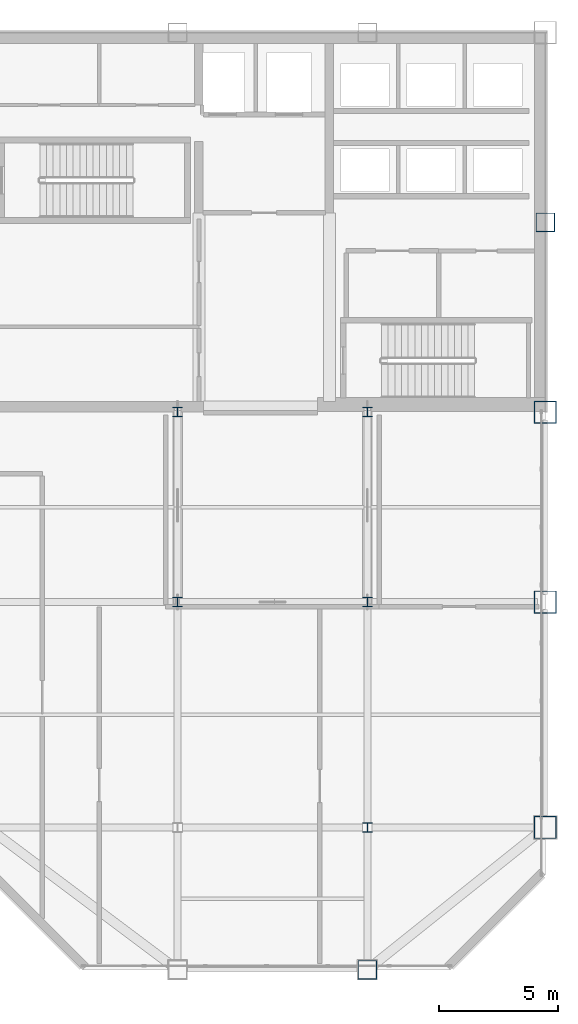
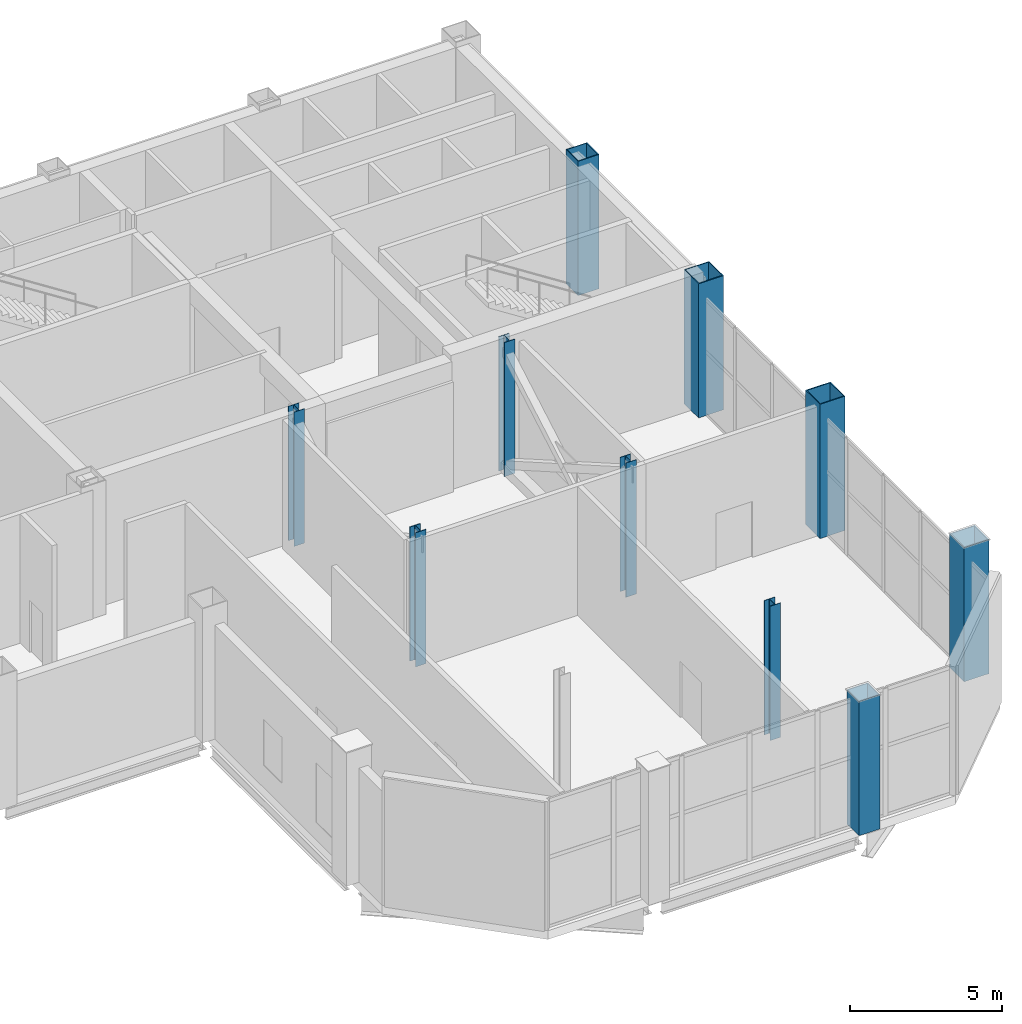
# One storey, part 2 of 23: 10 columns.
"""IFC4 building model written with IfcOpenShell, lengths in metres."""

from ifc_helpers import new_model, si_unit, direction, frame, origin, origin_2d, place, context, subcontext, project, spatial, hollow_rectangle, i_section, extrude, material, material_profile, profile_set, type_object, element, save


model = new_model("IFC4")

# Units and contexts
model_context = context("Model", 3, precision=1e-05, world=origin(), true_north=direction((0.0, 1.0)))
body_context = subcontext(model_context, "Body", "Model", "MODEL_VIEW")
ifc_project = project(units=[si_unit("LENGTHUNIT", "METRE"), si_unit("AREAUNIT", "SQUARE_METRE"), si_unit("VOLUMEUNIT", "CUBIC_METRE"), si_unit("PLANEANGLEUNIT", "RADIAN"), si_unit("MASSUNIT", "GRAM", prefix="KILO")], contexts=[model_context])

# Site, building, storey
site_placement = place(None, origin())
site = spatial("IfcSite", under=ifc_project, at=site_placement, CompositionType="ELEMENT")
building_placement = place(site_placement, origin())
building = spatial("IfcBuilding", under=site, at=building_placement, Name="Qianrong Seaharbour Tower", CompositionType="ELEMENT")
storey_placement = place(building_placement, frame((0.0, 0.0, 281.800048828125)))
storey = spatial("IfcBuildingStorey", under=building, at=storey_placement, Name="L68", CompositionType="ELEMENT", Elevation=281.800048828125)

# Columns
ifc_material = material(Name="Structural steel SN490B", Category="steel")
ifc_material_profile_1 = material_profile(ifc_material, hollow_rectangle(XDim=0.949951171875, YDim=0.949951171875, WallThickness=0.035888671875, at=origin_2d()), Name="BOX950x950x36")
ifc_profile_set_1 = profile_set([ifc_material_profile_1], Name="Structural steel SN490B")
column_type_1 = type_object("IfcColumnType", Name="COL-CFT-950", PredefinedType="COLUMN", material=ifc_profile_set_1)
for number, where, z_axis, x_axis, name in (
    (1, (64.0, 18.5, 0.0), (0.0, 0.0, 1.0), (1.0, 0.0, 0.0), "L68 Column MC-4 at G9/GD"),
    (2, (64.0, 28.0, 0.0), (0.0, 0.0, 1.0), (1.0, 0.0, 0.0), "L68 Column MC-4 at G9/GE"),
    (3, (64.0, 36.0, 0.0), (0.0, 0.0, 1.0), (1.0, 0.0, 0.0), "L68 Column MC-4 at G9/GF"),
):
    element("IfcColumn", number, at=place(storey_placement, frame(where, z_axis=z_axis, x_axis=x_axis)), inside=storey, type_object=column_type_1, Name=name, PredefinedType="COLUMN", context=body_context, shape_type="SweptSolid", body=[
        extrude(hollow_rectangle(XDim=0.949951171875, YDim=0.949951171875, WallThickness=0.035888671875, at=origin_2d()), origin(), (0.0, 0.0, 1.0), 5.39990234375),
    ])
ifc_material_profile_2 = material_profile(ifc_material, i_section(OverallWidth=0.39990234375, OverallDepth=0.39990234375, WebThickness=0.012939453125, FlangeThickness=0.02099609375, FilletRadius=0.02197265625, at=origin_2d()), Name="H400x400x13x21")
ifc_profile_set_2 = profile_set([ifc_material_profile_2], Name="Structural steel SN490B")
column_type_2 = type_object("IfcColumnType", Name="COL-INT-H400", PredefinedType="COLUMN", material=ifc_profile_set_2)
for number, where, z_axis, x_axis, name in (
    (4, (48.5, 28.0, 0.0), (0.0, 0.0, 1.0), (1.0, 0.0, 0.0), "L68 Column IC-3 at G7/GE"),
    (5, (48.5, 36.0, 0.0), (0.0, 0.0, 1.0), (1.0, 0.0, 0.0), "L68 Column IC-3 at G7/GF"),
    (6, (56.5, 18.5, 0.0), (0.0, 0.0, 1.0), (1.0, 0.0, 0.0), "L68 Column IC-3 at G8/GD"),
    (7, (56.5, 28.0, 0.0), (0.0, 0.0, 1.0), (1.0, 0.0, 0.0), "L68 Column IC-3 at G8/GE"),
    (8, (56.5, 36.0, 0.0), (0.0, 0.0, 1.0), (1.0, 0.0, 0.0), "L68 Column IC-3 at G8/GF"),
):
    element("IfcColumn", number, at=place(storey_placement, frame(where, z_axis=z_axis, x_axis=x_axis)), inside=storey, type_object=column_type_2, Name=name, PredefinedType="COLUMN", context=body_context, shape_type="SweptSolid", body=[
        extrude(i_section(OverallWidth=0.39990234375, OverallDepth=0.39990234375, WebThickness=0.012939453125, FlangeThickness=0.02099609375, FilletRadius=0.02197265625, at=origin_2d()), origin(), (0.0, 0.0, 1.0), 5.39990234375),
    ])
ifc_material_profile_3 = material_profile(ifc_material, hollow_rectangle(XDim=0.800048828125, YDim=0.800048828125, WallThickness=0.031982421875, at=origin_2d()), Name="BOX800x800x32")
ifc_profile_set_3 = profile_set([ifc_material_profile_3], Name="Structural steel SN490B")
column_type_3 = type_object("IfcColumnType", Name="COL-PER-800", PredefinedType="COLUMN", material=ifc_profile_set_3)
for number, where, z_axis, x_axis, name in (
    (9, (56.5, 12.5, 0.0), (0.0, 0.0, 1.0), (1.0, 0.0, 0.0), "L68 Column PC-3 at G8/GC"),
    (10, (64.0, 44.0, 0.0), (0.0, 0.0, 1.0), (1.0, 0.0, 0.0), "L68 Column PC-3 at G9/GG"),
):
    element("IfcColumn", number, at=place(storey_placement, frame(where, z_axis=z_axis, x_axis=x_axis)), inside=storey, type_object=column_type_3, Name=name, PredefinedType="COLUMN", context=body_context, shape_type="SweptSolid", body=[
        extrude(hollow_rectangle(XDim=0.800048828125, YDim=0.800048828125, WallThickness=0.031982421875, at=origin_2d()), origin(), (0.0, 0.0, 1.0), 5.39990234375),
    ])

save(model, "model.ifc")
